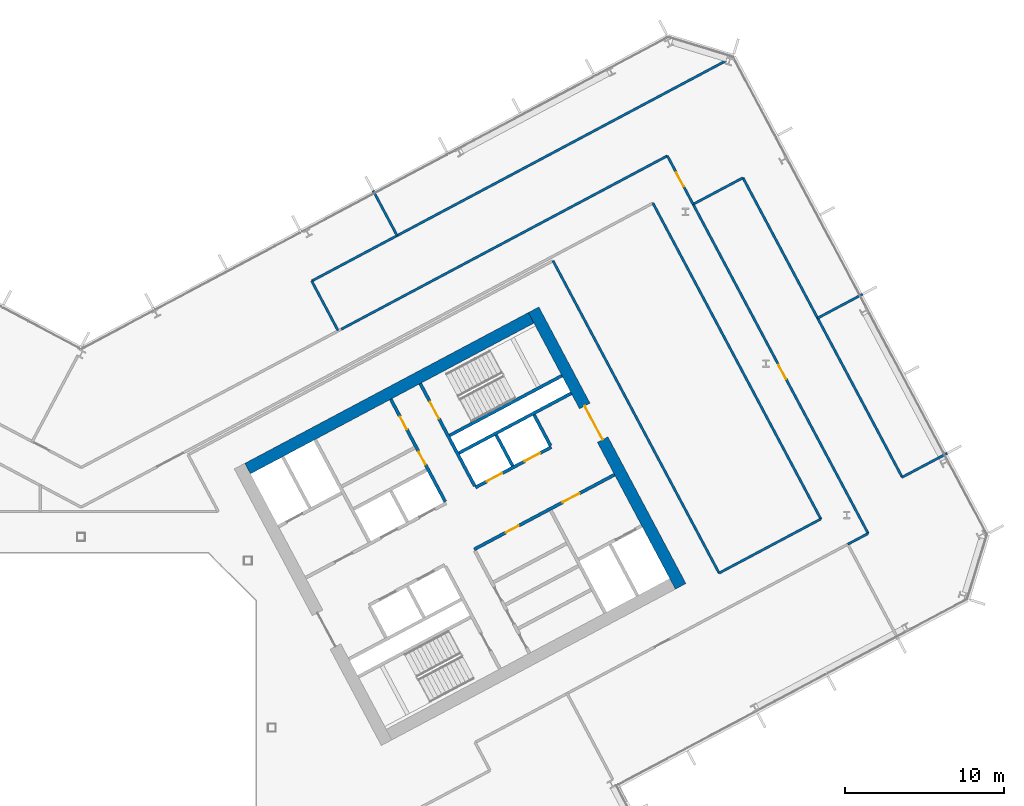
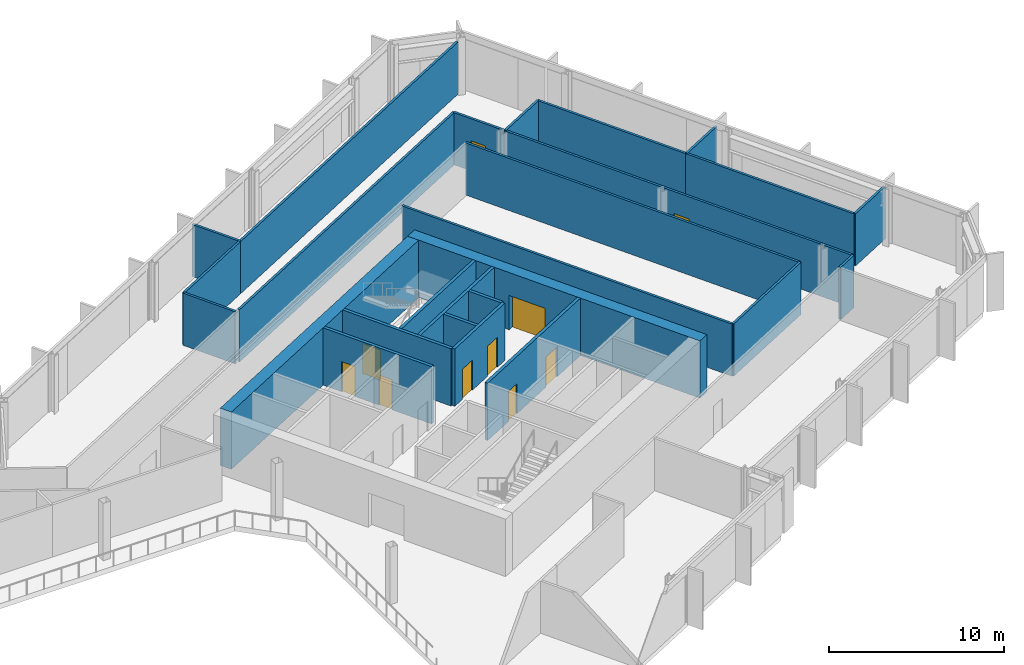
# One storey, part 17 of 28: 26 walls, 10 doors, 10 openings.
"""IFC4 building model written with IfcOpenShell, lengths in metres."""

import ifcopenshell
import ifcopenshell.guid

model = None  # the IFC model being written
_history = None  # IfcOwnerHistory: only IFC2X3 demands one
_inside = {}  # id of a spatial element -> (the spatial element, [elements in it])
_under = {}  # id of a project, library or spatial element -> (it, [spatial elements below it])
_declared = {}  # id of a project -> (the project, [libraries it declares])
_typed = {}  # id of a type object -> (the type object, [elements of that type])
_made_of = {}  # id of a material, layer set ... -> (it, [elements and type objects made of it])


def new_model(schema):
    """Start an empty IFC model of exactly this schema.

    Asked for "IFC4X3", IfcOpenShell would pick the latest addendum, in which some entities
    have other attributes; the version numbers below select the first issue.
    IFC2X3 requires an IfcOwnerHistory on every rooted entity: one is made here for all.
    """
    global model, _history
    if schema == "IFC4X3":
        model = ifcopenshell.file(schema_version=(4, 3, 0, 0))
    else:
        model = ifcopenshell.file(schema=schema)
    _inside.clear()
    _under.clear()
    _declared.clear()
    _typed.clear()
    _made_of.clear()
    _history = None
    if model.schema == "IFC2X3":
        org = make("IfcOrganization", Name="unknown")
        user = make(
            "IfcPersonAndOrganization",
            ThePerson=make("IfcPerson", FamilyName="unknown"),
            TheOrganization=org,
        )
        app = make(
            "IfcApplication",
            ApplicationDeveloper=org,
            Version="unknown",
            ApplicationFullName="unknown",
            ApplicationIdentifier="unknown",
        )
        _history = make(
            "IfcOwnerHistory",
            OwningUser=user,
            OwningApplication=app,
            ChangeAction="ADDED",
            CreationDate=0,
        )
    return model


def make(cls, **values):
    """One entity of the class cls with the attributes given. An attribute that is None is left unset."""
    return model.create_entity(
        cls, **{name: value for name, value in values.items() if value is not None}
    )


def rooted(cls, **values):
    """An entity with a GlobalId (a new one), such as an element, a storey or a relation."""
    return make(cls, GlobalId=ifcopenshell.guid.new(), OwnerHistory=_history, **values)


def si_unit(unit_type, name, prefix=None):
    """IfcSIUnit, for example si_unit("LENGTHUNIT", "METRE", prefix="MILLI")."""
    return make("IfcSIUnit", UnitType=unit_type, Prefix=prefix, Name=name)


def assignment(units):
    """IfcUnitAssignment: the units of a project."""
    return None if units is None else make("IfcUnitAssignment", Units=units)


def point(xyz):
    """IfcCartesianPoint."""
    return None if xyz is None else make("IfcCartesianPoint", Coordinates=xyz)


def direction(xyz):
    """IfcDirection."""
    return None if xyz is None else make("IfcDirection", DirectionRatios=xyz)


def frame(location, z_axis=None, x_axis=None):
    """IfcAxis2Placement3D, a coordinate frame: its origin and axes. An axis left out is left unset."""
    return make(
        "IfcAxis2Placement3D",
        Location=point(location),
        Axis=direction(z_axis),
        RefDirection=direction(x_axis),
    )


def frame_2d(location, x_axis=None):
    """IfcAxis2Placement2D, a coordinate frame in the plane: its origin and x axis."""
    return make(
        "IfcAxis2Placement2D", Location=point(location), RefDirection=direction(x_axis)
    )


def origin():
    """The frame at (0, 0, 0) with its axes left unset."""
    return frame((0.0, 0.0, 0.0))


def place(relative_to, where):
    """IfcLocalPlacement: puts the frame where relative to a parent placement (None: the world)."""
    return make(
        "IfcLocalPlacement", PlacementRelTo=relative_to, RelativePlacement=where
    )


def context(
    kind, dimensions, precision=None, world=None, true_north=None, identifier=None
):
    """IfcGeometricRepresentationContext, for example the 3D "Model" context."""
    return make(
        "IfcGeometricRepresentationContext",
        ContextIdentifier=identifier,
        ContextType=kind,
        CoordinateSpaceDimension=dimensions,
        Precision=precision,
        WorldCoordinateSystem=world,
        TrueNorth=true_north,
    )


def subcontext(parent, identifier, kind, view, scale=None):
    """IfcGeometricRepresentationSubContext, for example "Body" below "Model"."""
    return make(
        "IfcGeometricRepresentationSubContext",
        ContextIdentifier=identifier,
        ContextType=kind,
        ParentContext=parent,
        TargetScale=scale,
        TargetView=view,
    )


def project(units=None, contexts=None):
    """IfcProject with its units and contexts."""
    return rooted(
        "IfcProject",
        Name="project",
        RepresentationContexts=contexts,
        UnitsInContext=assignment(units),
    )


def spatial(cls, under=None, at=None, **own):
    """A site, building, storey or space (cls), placed at a placement, below another one or the project."""
    s = rooted(cls, ObjectPlacement=at, **own)
    if under is not None:
        _under.setdefault(under.id(), (under, []))[1].append(s)
    return s


def profile(cls, at=None, kind="AREA", **sizes):
    """A parametric profile (cls). Its sizes go by their IFC names, for example OverallWidth=200.0."""
    return make(cls, ProfileType=kind, Position=at, **sizes)


def rectangle(**sizes):
    """IfcRectangleProfileDef."""
    return profile("IfcRectangleProfileDef", **sizes)


def extrude(swept, where, along, depth):
    """IfcExtrudedAreaSolid: the profile swept, set in the frame where, extruded along a direction by depth."""
    return make(
        "IfcExtrudedAreaSolid",
        SweptArea=swept,
        Position=where,
        ExtrudedDirection=direction(along),
        Depth=depth,
    )


def shape(context_of_items, identifier, shape_type, items):
    """IfcShapeRepresentation: the items that make up one representation, for example the "Body"."""
    return make(
        "IfcShapeRepresentation",
        ContextOfItems=context_of_items,
        RepresentationIdentifier=identifier,
        RepresentationType=shape_type,
        Items=items,
    )


def material(Name=None, Category=None):
    """IfcMaterial."""
    return make("IfcMaterial", Name=Name, Category=Category)


def layer(
    of_material, thickness, ventilated=None, Name=None, Category=None, Priority=None
):
    """IfcMaterialLayer: one layer of a wall or slab, of a material (None: an air gap)."""
    return make(
        "IfcMaterialLayer",
        Material=of_material,
        LayerThickness=thickness,
        IsVentilated=ventilated,
        Name=Name,
        Category=Category,
        Priority=Priority,
    )


def layer_set(layers, Name=None):
    """IfcMaterialLayerSet."""
    return make("IfcMaterialLayerSet", MaterialLayers=layers, LayerSetName=Name)


def made_of(thing, what):
    """Note that an element or type object is made of a material, layer set ...; save() writes the relation."""
    if what is not None:
        _made_of.setdefault(what.id(), (what, []))[1].append(thing)
    return thing


def type_object(cls, material=None, **own):
    """A type object (cls), such as IfcWallType, which elements share."""
    return made_of(rooted(cls, **own), material)


def element(
    cls,
    number,
    at=None,
    inside=None,
    cuts=None,
    type_object=None,
    material=None,
    context=None,
    identifier="Body",
    shape_type=None,
    held_by="IfcProductDefinitionShape",
    body=None,
    shapes=None,
    **own,
):
    """One element of the class cls, such as IfcWall. Its Tag is "e" and its number.

    at: its placement. inside: the storey or other place that contains it. cuts: it is an
    opening in that element (IfcRelVoidsElement). A single representation is given by context,
    identifier, shape_type and body (its items); several are given by shapes. held_by: the class
    of the entity that holds the representations. save() writes the other relations.
    """
    e = rooted(cls, Tag="e%d" % number, ObjectPlacement=at, **own)
    if body is not None:
        shapes = [shape(context, identifier, shape_type, body)]
    if shapes is not None:
        e.Representation = make(held_by, Representations=shapes)
    if inside is not None:
        _inside.setdefault(inside.id(), (inside, []))[1].append(e)
    if cuts is not None:
        rooted(
            "IfcRelVoidsElement", RelatingBuildingElement=cuts, RelatedOpeningElement=e
        )
    if type_object is not None:
        _typed.setdefault(type_object.id(), (type_object, []))[1].append(e)
    return made_of(e, material)


def fill(opening, filler):
    """IfcRelFillsElement: the door or window that sits in an opening."""
    return rooted(
        "IfcRelFillsElement",
        RelatingOpeningElement=opening,
        RelatedBuildingElement=filler,
    )


def aggregate(whole, parts):
    """IfcRelAggregates: a whole, such as a stair, and the parts it consists of."""
    return rooted("IfcRelAggregates", RelatingObject=whole, RelatedObjects=parts)


def save(model, path):
    """Write the relations noted so far, then the file.

    IfcRelAggregates (storeys below a building ...), IfcRelContainedInSpatialStructure (elements
    in a storey), IfcRelDefinesByType, IfcRelAssociatesMaterial and IfcRelDeclares: one each for
    every whole, place, type object, material and project.
    """
    for whole, parts in _under.values():
        aggregate(whole, parts)
    for where, things in _inside.values():
        rooted(
            "IfcRelContainedInSpatialStructure",
            RelatedElements=things,
            RelatingStructure=where,
        )
    for kind, things in _typed.values():
        rooted("IfcRelDefinesByType", RelatedObjects=things, RelatingType=kind)
    for what, things in _made_of.values():
        rooted("IfcRelAssociatesMaterial", RelatedObjects=things, RelatingMaterial=what)
    for by, libraries in _declared.values():
        rooted("IfcRelDeclares", RelatingContext=by, RelatedDefinitions=libraries)
    model.write(path)


model = new_model("IFC4")

# Units and contexts
model_context = context("Model", 3, precision=1e-05, world=origin(), true_north=direction((0.0, 1.0)))
body_context = subcontext(model_context, "Body", "Model", "MODEL_VIEW")
ifc_project = project(units=[si_unit("LENGTHUNIT", "METRE"), si_unit("AREAUNIT", "SQUARE_METRE"), si_unit("VOLUMEUNIT", "CUBIC_METRE"), si_unit("PLANEANGLEUNIT", "RADIAN"), si_unit("MASSUNIT", "GRAM", prefix="KILO")], contexts=[model_context])

# Site, building, storey
site_placement = place(None, origin())
site = spatial("IfcSite", under=ifc_project, at=site_placement, CompositionType="ELEMENT")
building_placement = place(site_placement, origin())
building = spatial("IfcBuilding", under=site, at=building_placement, Name="Cormorant Relay Tower", CompositionType="ELEMENT")
storey_placement = place(building_placement, frame((0.0, 0.0, 158.199951171875)))
storey = spatial("IfcBuildingStorey", under=building, at=storey_placement, Name="L33", CompositionType="ELEMENT", Elevation=158.199951171875)

# Wall
ifc_material_1 = material(Name="Concrete 40 MPa", Category="concrete")
ifc_layer_1 = layer(ifc_material_1, 0.199951171875)
ifc_layer_set_1 = layer_set([ifc_layer_1], Name="Core internal wall 200")
wall_type_1 = type_object("IfcWallType", Name="Core internal wall 200", PredefinedType="SOLIDWALL", material=ifc_layer_set_1)
wall_1_placement = place(storey_placement, frame((27.144287109375, 16.471435546875, 0.0), z_axis=(0.0, 0.0, 1.0), x_axis=(-0.469401318492, 0.882984938828, 0.0)))
element("IfcWall", 1, at=wall_1_placement, inside=storey, type_object=wall_type_1, Name="L33 core B shaft and room wall", PredefinedType="SOLIDWALL", context=body_context, shape_type="SweptSolid", body=[
    extrude(rectangle(XDim=2.199951171875, YDim=0.199951171875, at=frame_2d((1.10009765625, 0.0))), origin(), (0.0, 0.0, 1.0), 4.0),
])

# Wall, openings, doors
ifc_material_2 = material(Name="Concrete 50 MPa", Category="concrete")
ifc_layer_2 = layer(ifc_material_2, 0.199951171875)
ifc_layer_set_2 = layer_set([ifc_layer_2], Name="Core shaft wall 200")
wall_type_2 = type_object("IfcWallType", Name="Core shaft wall 200", PredefinedType="SHEAR", material=ifc_layer_set_2)
wall_2_placement = place(storey_placement, frame((22.90625, 14.218017578125, 0.0), z_axis=(0.0, 0.0, 1.0), x_axis=(-0.469480409012, 0.88294288918, 0.0)))
wall_2 = element("IfcWall", 2, at=wall_2_placement, inside=storey, type_object=wall_type_2, Name="L33 core B shaft wall", PredefinedType="SHEAR", context=body_context, shape_type="SweptSolid", body=[
    extrude(rectangle(XDim=7.300048828125, YDim=0.199951171875, at=frame_2d((3.64990234375, 0.0))), origin(), (0.0, 0.0, 1.0), 4.0),
])
opening_1_placement = place(wall_2_placement, frame((2.64990234375, 0.0, 0.0)))
opening_1 = element("IfcOpeningElement", 3, at=opening_1_placement, cuts=wall_2, Name="Opening CDD-208", PredefinedType="OPENING", context=body_context, shape_type="SweptSolid", body=[
    extrude(rectangle(XDim=0.89990234375, YDim=2.10009765625, at=frame_2d((0.449951171875, 1.050048828125))), frame((0.0, 0.10986328125, 0.0), z_axis=(0.0, -1.0, 0.0), x_axis=(1.0, 0.0, 0.0)), (0.0, 0.0, 1.0), 0.219970703125),
])
opening_2_placement = place(wall_2_placement, frame((5.14990234375, 0.0, 0.0)))
opening_2 = element("IfcOpeningElement", 4, at=opening_2_placement, cuts=wall_2, Name="Opening CDD-209", PredefinedType="OPENING", context=body_context, shape_type="SweptSolid", body=[
    extrude(rectangle(XDim=0.89990234375, YDim=2.10009765625, at=frame_2d((0.449951171875, 1.050048828125))), frame((0.0, 0.10986328125, 0.0), z_axis=(0.0, -1.0, 0.0), x_axis=(1.0, 0.0, 0.0)), (0.0, 0.0, 1.0), 0.219970703125),
])
ifc_material_3 = material(Name="Steel fire door", Category="steel")
door_type_1 = type_object("IfcDoorType", Name="Core room door 900x2100", OperationType="SINGLE_SWING_LEFT", PredefinedType="DOOR", material=ifc_material_3)
door_1_placement = place(opening_1_placement, origin())
door_1 = element("IfcDoor", 5, at=door_1_placement, inside=storey, type_object=door_type_1, Name="Core room door 900x2100", OperationType="SINGLE_SWING_RIGHT", OverallHeight=2.10009765625, OverallWidth=0.89990234375, PredefinedType="DOOR", context=body_context, shape_type="SweptSolid", body=[
    extrude(rectangle(XDim=0.89990234375, YDim=2.10009765625, at=frame_2d((0.449951171875, 1.050048828125))), frame((0.0, 0.02490234375, 0.0), z_axis=(0.0, -1.0, 0.0), x_axis=(1.0, 0.0, 0.0)), (0.0, 0.0, 1.0), 0.050048828125),
])
fill(opening_1, door_1)
door_2_placement = place(opening_2_placement, origin())
door_2 = element("IfcDoor", 6, at=door_2_placement, inside=storey, type_object=door_type_1, Name="Core room door 900x2100", OperationType="SINGLE_SWING_LEFT", OverallHeight=2.10009765625, OverallWidth=0.89990234375, PredefinedType="DOOR", context=body_context, shape_type="SweptSolid", body=[
    extrude(rectangle(XDim=0.89990234375, YDim=2.10009765625, at=frame_2d((0.449951171875, 1.050048828125))), frame((0.0, 0.02490234375, 0.0), z_axis=(0.0, -1.0, 0.0), x_axis=(1.0, 0.0, 0.0)), (0.0, 0.0, 1.0), 0.050048828125),
])
fill(opening_2, door_2)

# Wall, opening, door
wall_3_placement = place(storey_placement, frame((24.760498046875, 15.2041015625, 0.0), z_axis=(0.0, 0.0, 1.0), x_axis=(-0.469494272526, 0.882935517501, 0.0)))
wall_3 = element("IfcWall", 7, at=wall_3_placement, inside=storey, type_object=wall_type_2, Name="L33 core B shaft wall", PredefinedType="SHEAR", context=body_context, shape_type="SweptSolid", body=[
    extrude(rectangle(XDim=7.2998046875, YDim=0.199951171875, at=frame_2d((3.64990234375, 0.0))), origin(), (0.0, 0.0, 1.0), 4.0),
])
opening_3_placement = place(wall_3_placement, frame((4.800048828125, 0.0, 0.0)))
opening_3 = element("IfcOpeningElement", 8, at=opening_3_placement, cuts=wall_3, Name="Opening CDB-037", PredefinedType="OPENING", context=body_context, shape_type="SweptSolid", body=[
    extrude(rectangle(XDim=1.199951171875, YDim=2.10009765625, at=frame_2d((0.60009765625, 1.050048828125))), frame((0.0, 0.10986328125, 0.0), z_axis=(0.0, -1.0, 0.0), x_axis=(1.0, 0.0, 0.0)), (0.0, 0.0, 1.0), 0.219970703125),
])
ifc_material_4 = material(Name="Steel fire door", Category="steel")
door_type_2 = type_object("IfcDoorType", Name="Core stair door 1200x2100", OperationType="SINGLE_SWING_LEFT", PredefinedType="DOOR", material=ifc_material_4)
door_3_placement = place(opening_3_placement, frame((1.199951171875, 0.0, 0.0), z_axis=(0.0, 0.0, 1.0), x_axis=(-1.0, 0.0, 0.0)))
door_3 = element("IfcDoor", 9, at=door_3_placement, inside=storey, type_object=door_type_2, Name="Core stair door 1200x2100", OperationType="SINGLE_SWING_RIGHT", OverallHeight=2.10009765625, OverallWidth=1.199951171875, PredefinedType="DOOR", context=body_context, shape_type="SweptSolid", body=[
    extrude(rectangle(XDim=1.199951171875, YDim=2.10009765625, at=frame_2d((0.60009765625, 1.050048828125))), frame((0.0, 0.02490234375, 0.0), z_axis=(0.0, -1.0, 0.0), x_axis=(1.0, 0.0, 0.0)), (0.0, 0.0, 1.0), 0.050048828125),
])
fill(opening_3, door_3)

# Wall
wall_4_placement = place(storey_placement, frame((29.5283203125, 17.739013671875, 0.0), z_axis=(0.0, 0.0, 1.0), x_axis=(-0.469401318492, 0.882984938828, 0.0)))
element("IfcWall", 10, at=wall_4_placement, inside=storey, type_object=wall_type_2, Name="L33 core B shaft wall", PredefinedType="SHEAR", context=body_context, shape_type="SweptSolid", body=[
    extrude(rectangle(XDim=2.199951171875, YDim=0.199951171875, at=frame_2d((1.10009765625, 0.0))), origin(), (0.0, 0.0, 1.0), 4.0),
])

# Wall, openings, doors
wall_5_placement = place(storey_placement, frame((24.72607421875, 11.2216796875, 0.0), z_axis=(0.0, 0.0, 1.0), x_axis=(0.882940221191, 0.469485426614, 0.0)))
wall_5 = element("IfcWall", 11, at=wall_5_placement, inside=storey, type_object=wall_type_2, Name="L33 core B shaft wall", PredefinedType="SHEAR", context=body_context, shape_type="SweptSolid", body=[
    extrude(rectangle(XDim=10.0, YDim=0.199951171875, at=frame_2d((5.0, 0.0))), origin(), (0.0, 0.0, 1.0), 4.0),
])
opening_4_placement = place(wall_5_placement, frame((6.300048828125, 0.0, 0.0)))
opening_4 = element("IfcOpeningElement", 12, at=opening_4_placement, cuts=wall_5, Name="Opening CDC-030", PredefinedType="OPENING", context=body_context, shape_type="SweptSolid", body=[
    extrude(rectangle(XDim=1.199951171875, YDim=2.10009765625, at=frame_2d((0.60009765625, 1.050048828125))), frame((0.0, 0.10986328125, 0.0), z_axis=(0.0, -1.0, 0.0), x_axis=(1.0, 0.0, 0.0)), (0.0, 0.0, 1.0), 0.219970703125),
])
opening_5_placement = place(wall_5_placement, frame((2.25, 0.0, 0.0)))
opening_5 = element("IfcOpeningElement", 13, at=opening_5_placement, cuts=wall_5, Name="Opening CDD-191", PredefinedType="OPENING", context=body_context, shape_type="SweptSolid", body=[
    extrude(rectangle(XDim=0.89990234375, YDim=2.10009765625, at=frame_2d((0.449951171875, 1.050048828125))), frame((0.0, 0.10986328125, 0.0), z_axis=(0.0, -1.0, 0.0), x_axis=(1.0, 0.0, 0.0)), (0.0, 0.0, 1.0), 0.219970703125),
])
ifc_material_5 = material(Name="Steel fire door", Category="steel")
door_type_3 = type_object("IfcDoorType", Name="Core lobby door 1200x2100", OperationType="SINGLE_SWING_LEFT", PredefinedType="DOOR", material=ifc_material_5)
door_4_placement = place(opening_4_placement, origin())
door_4 = element("IfcDoor", 14, at=door_4_placement, inside=storey, type_object=door_type_3, Name="Core lobby door 1200x2100", OperationType="SINGLE_SWING_LEFT", OverallHeight=2.10009765625, OverallWidth=1.199951171875, PredefinedType="DOOR", context=body_context, shape_type="SweptSolid", body=[
    extrude(rectangle(XDim=1.199951171875, YDim=2.10009765625, at=frame_2d((0.60009765625, 1.050048828125))), frame((0.0, 0.02490234375, 0.0), z_axis=(0.0, -1.0, 0.0), x_axis=(1.0, 0.0, 0.0)), (0.0, 0.0, 1.0), 0.050048828125),
])
fill(opening_4, door_4)
door_5_placement = place(opening_5_placement, origin())
door_5 = element("IfcDoor", 15, at=door_5_placement, inside=storey, type_object=door_type_1, Name="Core room door 900x2100", OperationType="SINGLE_SWING_LEFT", OverallHeight=2.10009765625, OverallWidth=0.89990234375, PredefinedType="DOOR", context=body_context, shape_type="SweptSolid", body=[
    extrude(rectangle(XDim=0.89990234375, YDim=2.10009765625, at=frame_2d((0.449951171875, 1.050048828125))), frame((0.0, 0.02490234375, 0.0), z_axis=(0.0, -1.0, 0.0), x_axis=(1.0, 0.0, 0.0)), (0.0, 0.0, 1.0), 0.050048828125),
])
fill(opening_5, door_5)

wall_6_placement = place(storey_placement, frame((24.807373046875, 15.11572265625, 0.0), z_axis=(0.0, 0.0, 1.0), x_axis=(0.882942972946, 0.469480251476, 0.0)))
wall_6 = element("IfcWall", 16, at=wall_6_placement, inside=storey, type_object=wall_type_2, Name="L33 core B shaft wall", PredefinedType="SHEAR", context=body_context, shape_type="SweptSolid", body=[
    extrude(rectangle(XDim=5.39990234375, YDim=0.199951171875, at=frame_2d((2.699951171875, 0.0))), origin(), (0.0, 0.0, 1.0), 4.0),
])
opening_6_placement = place(wall_6_placement, frame((0.800048828125, 0.0, 0.0)))
opening_6 = element("IfcOpeningElement", 17, at=opening_6_placement, cuts=wall_6, Name="Opening LD1-046", PredefinedType="OPENING", context=body_context, shape_type="SweptSolid", body=[
    extrude(rectangle(XDim=1.10009765625, YDim=2.10009765625, at=frame_2d((0.550048828125, 1.050048828125))), frame((0.0, 0.10986328125, 0.0), z_axis=(0.0, -1.0, 0.0), x_axis=(1.0, 0.0, 0.0)), (0.0, 0.0, 1.0), 0.219970703125),
])
opening_7_placement = place(wall_6_placement, frame((3.5, 0.0, 0.0)))
opening_7 = element("IfcOpeningElement", 18, at=opening_7_placement, cuts=wall_6, Name="Opening LD1-047", PredefinedType="OPENING", context=body_context, shape_type="SweptSolid", body=[
    extrude(rectangle(XDim=1.10009765625, YDim=2.10009765625, at=frame_2d((0.550048828125, 1.050048828125))), frame((0.0, 0.10986328125, 0.0), z_axis=(0.0, -1.0, 0.0), x_axis=(1.0, 0.0, 0.0)), (0.0, 0.0, 1.0), 0.219970703125),
])
ifc_material_6 = material(Name="Stainless steel 316", Category="steel")
door_type_4 = type_object("IfcDoorType", Name="Lift landing door 1100x2100", OperationType="DOUBLE_DOOR_SLIDING", PredefinedType="DOOR", material=ifc_material_6)
door_6_placement = place(opening_6_placement, origin())
door_6 = element("IfcDoor", 19, at=door_6_placement, inside=storey, type_object=door_type_4, Name="LR3 landing door", OperationType="DOUBLE_DOOR_SLIDING", OverallHeight=2.10009765625, OverallWidth=1.10009765625, PredefinedType="DOOR", context=body_context, shape_type="SweptSolid", body=[
    extrude(rectangle(XDim=1.10009765625, YDim=2.10009765625, at=frame_2d((0.550048828125, 1.050048828125))), frame((0.0, 0.02490234375, 0.0), z_axis=(0.0, -1.0, 0.0), x_axis=(1.0, 0.0, 0.0)), (0.0, 0.0, 1.0), 0.050048828125),
])
fill(opening_6, door_6)
door_7_placement = place(opening_7_placement, origin())
door_7 = element("IfcDoor", 20, at=door_7_placement, inside=storey, type_object=door_type_4, Name="LR4 landing door", OperationType="DOUBLE_DOOR_SLIDING", OverallHeight=2.10009765625, OverallWidth=1.10009765625, PredefinedType="DOOR", context=body_context, shape_type="SweptSolid", body=[
    extrude(rectangle(XDim=1.10009765625, YDim=2.10009765625, at=frame_2d((0.550048828125, 1.050048828125))), frame((0.0, 0.02490234375, 0.0), z_axis=(0.0, -1.0, 0.0), x_axis=(1.0, 0.0, 0.0)), (0.0, 0.0, 1.0), 0.050048828125),
])
fill(opening_7, door_7)

# Walls
wall_7_placement = place(storey_placement, frame((23.76904296875, 17.28173828125, 0.0), z_axis=(0.0, 0.0, 1.0), x_axis=(0.882940221191, 0.469485426614, 0.0)))
element("IfcWall", 21, at=wall_7_placement, inside=storey, type_object=wall_type_2, Name="L33 core B shaft wall", PredefinedType="SHEAR", context=body_context, shape_type="SweptSolid", body=[
    extrude(rectangle(XDim=8.0, YDim=0.199951171875, at=frame_2d((4.0, 0.0))), origin(), (0.0, 0.0, 1.0), 4.0),
])
wall_8_placement = place(storey_placement, frame((23.18212890625, 18.385498046875, 0.0), z_axis=(0.0, 0.0, 1.0), x_axis=(0.88295287151, 0.469461634952, 0.0)))
element("IfcWall", 22, at=wall_8_placement, inside=storey, type_object=wall_type_2, Name="L33 core B shaft wall", PredefinedType="SHEAR", context=body_context, shape_type="SweptSolid", body=[
    extrude(rectangle(XDim=7.999755859375, YDim=0.199951171875, at=frame_2d((4.0, 0.0))), origin(), (0.0, 0.0, 1.0), 4.0),
])

# Wall, opening, door
ifc_material_7 = material(Name="Concrete 60 MPa", Category="concrete")
ifc_layer_3 = layer(ifc_material_7, 0.75)
ifc_layer_set_3 = layer_set([ifc_layer_3], Name="Core wall 750")
wall_type_3 = type_object("IfcWallType", Name="Core wall 750", PredefinedType="SHEAR", material=ifc_layer_set_3)
wall_9_placement = place(storey_placement, frame((37.712646484375, 8.896484375, 0.0), z_axis=(0.0, 0.0, 1.0), x_axis=(-0.469469918705, 0.88294846703, 0.0)))
wall_9 = element("IfcWall", 23, at=wall_9_placement, inside=storey, type_object=wall_type_3, Name="L33 core B wall", PredefinedType="SHEAR", context=body_context, shape_type="SweptSolid", body=[
    extrude(rectangle(XDim=19.699951171875, YDim=0.75, at=frame_2d((9.85009765625, 0.0))), origin(), (0.0, 0.0, 1.0), 4.0),
])
opening_8_placement = place(wall_9_placement, frame((10.449951171875, 0.0, 0.0)))
opening_8 = element("IfcOpeningElement", 24, at=opening_8_placement, cuts=wall_9, Name="Opening CDA-029", PredefinedType="OPENING", context=body_context, shape_type="SweptSolid", body=[
    extrude(rectangle(XDim=2.39990234375, YDim=2.39990234375, at=frame_2d((1.199951171875, 1.199951171875))), frame((0.0, 0.385009765625, 0.0), z_axis=(0.0, -1.0, 0.0), x_axis=(1.0, 0.0, 0.0)), (0.0, 0.0, 1.0), 0.77001953125),
])
ifc_material_8 = material(Name="Steel fire door", Category="steel")
door_type_5 = type_object("IfcDoorType", Name="Core lobby door 2400x2400", OperationType="DOUBLE_DOOR_SINGLE_SWING", PredefinedType="DOOR", material=ifc_material_8)
door_8_placement = place(opening_8_placement, origin())
door_8 = element("IfcDoor", 25, at=door_8_placement, inside=storey, type_object=door_type_5, Name="Core lobby door 2400x2400", OperationType="DOUBLE_DOOR_SINGLE_SWING", OverallHeight=2.39990234375, OverallWidth=2.39990234375, PredefinedType="DOOR", context=body_context, shape_type="SweptSolid", body=[
    extrude(rectangle(XDim=2.39990234375, YDim=2.39990234375, at=frame_2d((1.199951171875, 1.199951171875))), frame((0.0, 0.02490234375, 0.0), z_axis=(0.0, -1.0, 0.0), x_axis=(1.0, 0.0, 0.0)), (0.0, 0.0, 1.0), 0.050048828125),
])
fill(opening_8, door_8)

# Walls
wall_10_placement = place(storey_placement, frame((10.4736328125, 16.300048828125, 0.0), z_axis=(0.0, 0.0, 1.0), x_axis=(0.88295010195, 0.469466843842, 0.0)))
element("IfcWall", 26, at=wall_10_placement, inside=storey, type_object=wall_type_3, Name="L33 core B wall", PredefinedType="SHEAR", context=body_context, shape_type="SweptSolid", body=[
    extrude(rectangle(XDim=20.199951171875, YDim=0.75, at=frame_2d((10.10009765625, 0.0))), origin(), (0.0, 0.0, 1.0), 4.0),
])
ifc_material_9 = material(Name="Gypsum board fire partition")
ifc_layer_4 = layer(ifc_material_9, 0.14990234375)
ifc_layer_set_4 = layer_set([ifc_layer_4], Name="Corridor partition 150 EI 60")
wall_type_4 = type_object("IfcWallType", Name="Corridor partition 150 EI 60", PredefinedType="PARTITIONING", material=ifc_layer_set_4)
wall_11_placement = place(storey_placement, frame((35.968017578125, 32.9990234375, 0.0), z_axis=(0.0, 0.0, 1.0), x_axis=(0.469455871296, -0.882955935993, 0.0)))
element("IfcWall", 27, at=wall_11_placement, inside=storey, type_object=wall_type_4, Name="wall/L33/part/052", PredefinedType="PARTITIONING", context=body_context, shape_type="SweptSolid", body=[
    extrude(rectangle(XDim=22.50048828125, YDim=0.14990234375, at=frame_2d((11.250244140625, 0.0))), origin(), (0.0, 0.0, 1.0), 3.64013671875),
])
wall_12_placement = place(storey_placement, frame((46.531005859375, 13.132080078125, 0.0), z_axis=(0.0, 0.0, 1.0), x_axis=(-0.882973969552, -0.46942195208, 0.0)))
element("IfcWall", 28, at=wall_12_placement, inside=storey, type_object=wall_type_4, Name="wall/L33/part/053", PredefinedType="PARTITIONING", context=body_context, shape_type="SweptSolid", body=[
    extrude(rectangle(XDim=7.24951171875, YDim=0.14990234375, at=frame_2d((3.624755859375, 0.0))), origin(), (0.0, 0.0, 1.0), 3.64013671875),
])
wall_13_placement = place(storey_placement, frame((40.1298828125, 9.72900390625, 0.0), z_axis=(0.0, 0.0, 1.0), x_axis=(-0.469484128043, 0.882940911679, 0.0)))
element("IfcWall", 29, at=wall_13_placement, inside=storey, type_object=wall_type_4, Name="wall/L33/part/054", PredefinedType="PARTITIONING", context=body_context, shape_type="SweptSolid", body=[
    extrude(rectangle(XDim=22.24951171875, YDim=0.14990234375, at=frame_2d((11.124755859375, 0.0))), origin(), (0.0, 0.0, 1.0), 3.64013671875),
])

# Wall, opening, door
wall_14_placement = place(storey_placement, frame((38.493896484375, 32.93408203125, 0.0), z_axis=(0.0, 0.0, 1.0), x_axis=(-0.469590631125, 0.882884272801, 0.0)))
wall_14 = element("IfcWall", 30, at=wall_14_placement, inside=storey, type_object=wall_type_4, Name="wall/L33/part/068", PredefinedType="PARTITIONING", context=body_context, shape_type="SweptSolid", body=[
    extrude(rectangle(XDim=3.443359375, YDim=0.14990234375, at=frame_2d((1.7216796875, 0.0))), origin(), (0.0, 0.0, 1.0), 3.64013671875),
])
opening_9_placement = place(wall_14_placement, frame((1.25, 0.0, 0.0)))
opening_9 = element("IfcOpeningElement", 31, at=opening_9_placement, cuts=wall_14, Name="Opening DS-049", PredefinedType="OPENING", context=body_context, shape_type="SweptSolid", body=[
    extrude(rectangle(XDim=1.0, YDim=2.10009765625, at=frame_2d((0.5, 1.050048828125))), frame((0.0, 0.0849609375, 0.0), z_axis=(0.0, -1.0, 0.0), x_axis=(1.0, 0.0, 0.0)), (0.0, 0.0, 1.0), 0.169921875),
])
ifc_material_10 = material(Name="Timber door leaf", Category="wood")
door_type_6 = type_object("IfcDoorType", Name="Suite door 1000x2100", OperationType="SINGLE_SWING_LEFT", PredefinedType="DOOR", material=ifc_material_10)
door_9_placement = place(opening_9_placement, frame((1.0, 0.0, 0.0), z_axis=(0.0, 0.0, 1.0), x_axis=(-1.0, 0.0, 0.0)))
door_9 = element("IfcDoor", 32, at=door_9_placement, inside=storey, type_object=door_type_6, Name="door/L33/007", OperationType="SINGLE_SWING_RIGHT", OverallHeight=2.10009765625, OverallWidth=1.0, PredefinedType="DOOR", context=body_context, shape_type="SweptSolid", body=[
    extrude(rectangle(XDim=1.0, YDim=2.10009765625, at=frame_2d((0.5, 1.050048828125))), frame((0.0, 0.02490234375, 0.0), z_axis=(0.0, -1.0, 0.0), x_axis=(1.0, 0.0, 0.0)), (0.0, 0.0, 1.0), 0.050048828125),
])
fill(opening_9, door_9)

# Wall
wall_15_placement = place(storey_placement, frame((16.3720703125, 25.071044921875, 0.0), z_axis=(0.0, 0.0, 1.0), x_axis=(0.88294906825, 0.469468787968, 0.0)))
element("IfcWall", 33, at=wall_15_placement, inside=storey, type_object=wall_type_4, Name="wall/L33/part/069", PredefinedType="PARTITIONING", context=body_context, shape_type="SweptSolid", body=[
    extrude(rectangle(XDim=23.224365234375, YDim=0.14990234375, at=frame_2d((11.6123046875, 0.0))), origin(), (0.0, 0.0, 1.0), 3.64013671875),
])

# Wall, opening, door
wall_16_placement = place(storey_placement, frame((38.493896484375, 32.93408203125, 0.0), z_axis=(0.0, 0.0, 1.0), x_axis=(0.469489027753, -0.88293830635, 0.0)))
wall_16 = element("IfcWall", 34, at=wall_16_placement, inside=storey, type_object=wall_type_4, Name="wall/L33/part/077", PredefinedType="PARTITIONING", context=body_context, shape_type="SweptSolid", body=[
    extrude(rectangle(XDim=23.455810546875, YDim=0.14990234375, at=frame_2d((11.72802734375, 0.0))), origin(), (0.0, 0.0, 1.0), 3.64013671875),
])
opening_10_placement = place(wall_16_placement, frame((11.449951171875, 0.0, 0.0)))
opening_10 = element("IfcOpeningElement", 35, at=opening_10_placement, cuts=wall_16, Name="Opening DS-048", PredefinedType="OPENING", context=body_context, shape_type="SweptSolid", body=[
    extrude(rectangle(XDim=1.0, YDim=2.10009765625, at=frame_2d((0.5, 1.050048828125))), frame((0.0, 0.0849609375, 0.0), z_axis=(0.0, -1.0, 0.0), x_axis=(1.0, 0.0, 0.0)), (0.0, 0.0, 1.0), 0.169921875),
])
door_10_placement = place(opening_10_placement, origin())
door_10 = element("IfcDoor", 36, at=door_10_placement, inside=storey, type_object=door_type_6, Name="door/L33/006", OperationType="SINGLE_SWING_LEFT", OverallHeight=2.10009765625, OverallWidth=1.0, PredefinedType="DOOR", context=body_context, shape_type="SweptSolid", body=[
    extrude(rectangle(XDim=1.0, YDim=2.10009765625, at=frame_2d((0.5, 1.050048828125))), frame((0.0, 0.02490234375, 0.0), z_axis=(0.0, -1.0, 0.0), x_axis=(1.0, 0.0, 0.0)), (0.0, 0.0, 1.0), 0.050048828125),
])
fill(opening_10, door_10)

# Walls
wall_17_placement = place(storey_placement, frame((49.507080078125, 12.222900390625, 0.0), z_axis=(0.0, 0.0, 1.0), x_axis=(-0.882991303687, -0.469389345441, 0.0)))
element("IfcWall", 37, at=wall_17_placement, inside=storey, type_object=wall_type_4, Name="wall/L33/part/083", PredefinedType="PARTITIONING", context=body_context, shape_type="SweptSolid", body=[
    extrude(rectangle(XDim=1.448486328125, YDim=0.14990234375, at=frame_2d((0.72412109375, 0.0))), origin(), (0.0, 0.0, 1.0), 3.64013671875),
])
ifc_material_11 = material(Name="Gypsum board partition")
ifc_layer_5 = layer(ifc_material_11, 0.14990234375)
ifc_layer_set_5 = layer_set([ifc_layer_5], Name="Tenant partition 150")
wall_type_5 = type_object("IfcWallType", Name="Tenant partition 150", PredefinedType="PARTITIONING", material=ifc_layer_set_5)
wall_18_placement = place(storey_placement, frame((19.8349609375, 30.93310546875, 0.0), z_axis=(0.0, 0.0, 1.0), x_axis=(-0.882907712877, -0.46954655844, 0.0)))
element("IfcWall", 38, at=wall_18_placement, inside=storey, type_object=wall_type_5, Name="wall/L33/part/066", PredefinedType="PARTITIONING", context=body_context, shape_type="SweptSolid", body=[
    extrude(rectangle(XDim=6.03564453125, YDim=0.14990234375, at=frame_2d((3.017822265625, 0.0))), origin(), (0.0, 0.0, 1.0), 3.64013671875),
])
wall_19_placement = place(storey_placement, frame((14.506103515625, 28.09912109375, 0.0), z_axis=(0.0, 0.0, 1.0), x_axis=(0.469501472662, -0.882931688846, 0.0)))
element("IfcWall", 39, at=wall_19_placement, inside=storey, type_object=wall_type_5, Name="wall/L33/part/067", PredefinedType="PARTITIONING", context=body_context, shape_type="SweptSolid", body=[
    extrude(rectangle(XDim=3.5224609375, YDim=0.14990234375, at=frame_2d((1.76123046875, 0.0))), origin(), (0.0, 0.0, 1.0), 3.64013671875),
])
wall_20_placement = place(storey_placement, frame((18.3740234375, 33.780029296875, 0.0), z_axis=(0.0, 0.0, 1.0), x_axis=(0.469685095616, -0.882834022315, 0.0)))
element("IfcWall", 40, at=wall_20_placement, inside=storey, type_object=wall_type_5, Name="wall/L33/part/070", PredefinedType="PARTITIONING", context=body_context, shape_type="SweptSolid", body=[
    extrude(rectangle(XDim=3.199951171875, YDim=0.14990234375, at=frame_2d((1.60009765625, 0.0))), origin(), (0.0, 0.0, 1.0), 3.64013671875),
])
wall_21_placement = place(storey_placement, frame((19.8349609375, 30.93310546875, 0.0), z_axis=(0.0, 0.0, 1.0), x_axis=(0.88295274069, 0.469461880995, 0.0)))
element("IfcWall", 41, at=wall_21_placement, inside=storey, type_object=wall_type_5, Name="wall/L33/part/073", PredefinedType="PARTITIONING", context=body_context, shape_type="SweptSolid", body=[
    extrude(rectangle(XDim=23.475830078125, YDim=0.14990234375, at=frame_2d((11.73779296875, 0.0))), origin(), (0.0, 0.0, 1.0), 3.64013671875),
])
wall_22_placement = place(storey_placement, frame((46.326904296875, 25.764892578125, 0.0), z_axis=(0.0, 0.0, 1.0), x_axis=(-0.469495547168, 0.882934839719, 0.0)))
element("IfcWall", 42, at=wall_22_placement, inside=storey, type_object=wall_type_5, Name="wall/L33/part/078", PredefinedType="PARTITIONING", context=body_context, shape_type="SweptSolid", body=[
    extrude(rectangle(XDim=9.999755859375, YDim=0.14990234375, at=frame_2d((5.0, 0.0))), origin(), (0.0, 0.0, 1.0), 3.64013671875),
])
wall_23_placement = place(storey_placement, frame((41.632080078125, 34.593994140625, 0.0), z_axis=(0.0, 0.0, 1.0), x_axis=(-0.882969155568, -0.469431006981, 0.0)))
element("IfcWall", 43, at=wall_23_placement, inside=storey, type_object=wall_type_5, Name="wall/L33/part/079", PredefinedType="PARTITIONING", context=body_context, shape_type="SweptSolid", body=[
    extrude(rectangle(XDim=3.5380859375, YDim=0.14990234375, at=frame_2d((1.76904296875, 0.0))), origin(), (0.0, 0.0, 1.0), 3.64013671875),
])
wall_24_placement = place(storey_placement, frame((49.152099609375, 27.26806640625, 0.0), z_axis=(0.0, 0.0, 1.0), x_axis=(-0.882819217955, -0.469712921271, 0.0)))
element("IfcWall", 44, at=wall_24_placement, inside=storey, type_object=wall_type_5, Name="wall/L33/part/080", PredefinedType="PARTITIONING", context=body_context, shape_type="SweptSolid", body=[
    extrude(rectangle(XDim=3.2001953125, YDim=0.14990234375, at=frame_2d((1.60009765625, 0.0))), origin(), (0.0, 0.0, 1.0), 3.64013671875),
])
wall_25_placement = place(storey_placement, frame((46.326904296875, 25.764892578125, 0.0), z_axis=(0.0, 0.0, 1.0), x_axis=(0.46946183233, -0.882952766565, 0.0)))
element("IfcWall", 45, at=wall_25_placement, inside=storey, type_object=wall_type_5, Name="wall/L33/part/081", PredefinedType="PARTITIONING", context=body_context, shape_type="SweptSolid", body=[
    extrude(rectangle(XDim=11.332275390625, YDim=0.14990234375, at=frame_2d((5.666015625, 0.0))), origin(), (0.0, 0.0, 1.0), 3.64013671875),
])
wall_26_placement = place(storey_placement, frame((51.64697265625, 15.759033203125, 0.0), z_axis=(0.0, 0.0, 1.0), x_axis=(0.883154243406, 0.469082703107, 0.0)))
element("IfcWall", 46, at=wall_26_placement, inside=storey, type_object=wall_type_5, Name="wall/L33/part/082", PredefinedType="PARTITIONING", context=body_context, shape_type="SweptSolid", body=[
    extrude(rectangle(XDim=3.19970703125, YDim=0.14990234375, at=frame_2d((1.599853515625, 0.0))), origin(), (0.0, 0.0, 1.0), 3.64013671875),
])

save(model, "model.ifc")
